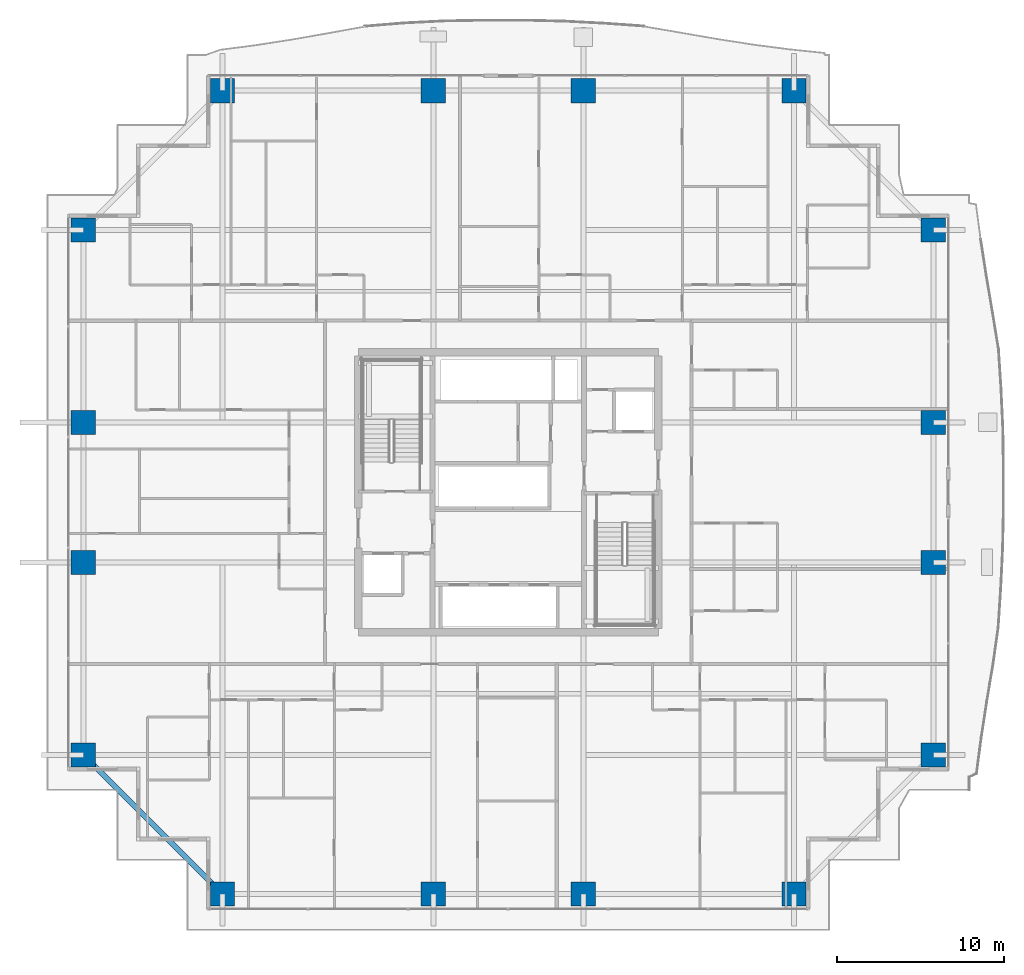
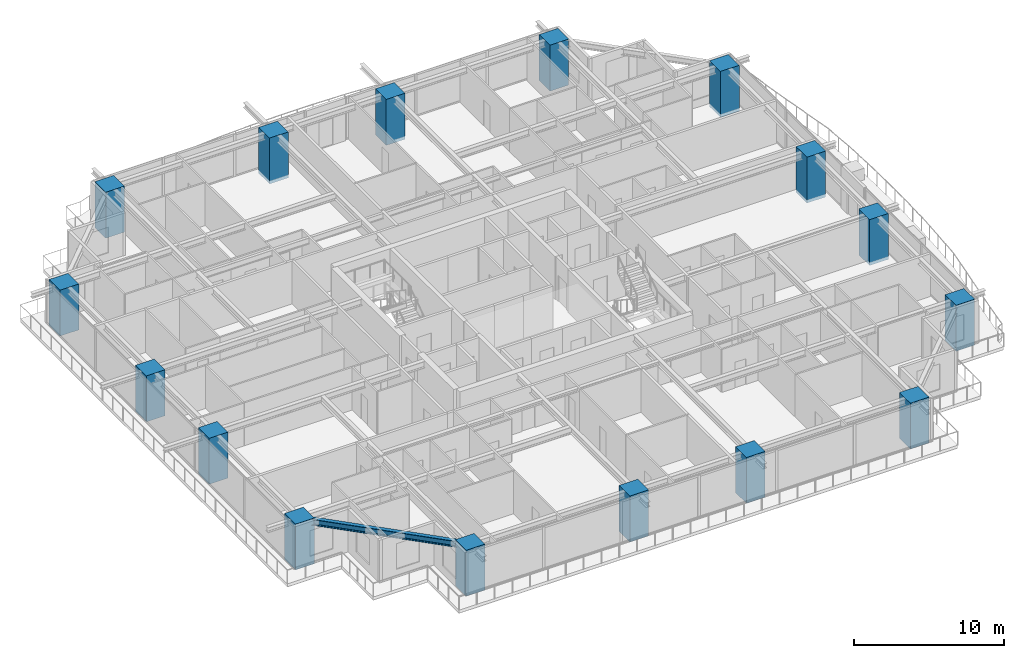
# One storey, part 1 of 38: 16 columns, 1 beam.
"""IFC4 building model written with IfcOpenShell, lengths in metres."""

from ifc_helpers import new_model, si_unit, direction, frame, origin, origin_2d, place, context, subcontext, project, spatial, rectangle, i_section, extrude, source, transform, mapped, material, material_profile, profile_set, type_object, element, save


model = new_model("IFC4")

# Units and contexts
model_context = context("Model", 3, precision=1e-05, world=origin(), true_north=direction((0.0, 1.0)))
body_context = subcontext(model_context, "Body", "Model", "MODEL_VIEW")
ifc_project = project(units=[si_unit("LENGTHUNIT", "METRE"), si_unit("AREAUNIT", "SQUARE_METRE"), si_unit("VOLUMEUNIT", "CUBIC_METRE"), si_unit("PLANEANGLEUNIT", "RADIAN"), si_unit("MASSUNIT", "GRAM", prefix="KILO")], contexts=[model_context])

# Site, building, storey
site_placement = place(None, origin())
site = spatial("IfcSite", under=ifc_project, at=site_placement, CompositionType="ELEMENT")
building_placement = place(site_placement, origin())
building = spatial("IfcBuilding", under=site, at=building_placement, Name="Serunith Strait Residences", CompositionType="ELEMENT")
storey_placement = place(building_placement, frame((0.0, 0.0, 82.949951171875)))
storey = spatial("IfcBuildingStorey", under=building, at=storey_placement, Name="L20", CompositionType="ELEMENT", Elevation=82.949951171875)

# Columns
ifc_material_1 = material(Name="Concrete C90/105", Category="concrete")
ifc_material_profile_1 = material_profile(ifc_material_1, rectangle(XDim=1.449951171875, YDim=1.449951171875, at=origin_2d()), Name="RC 1450x1450")
ifc_profile_set_1 = profile_set([ifc_material_profile_1], Name="Concrete C90/105")
column_type = type_object("IfcColumnType", Name="COL-RC-1450", PredefinedType="COLUMN", material=ifc_profile_set_1)
shared_shape_1 = source(origin(), body_context, "Body", "SweptSolid", [
    extrude(rectangle(XDim=1.449951171875, YDim=1.449951171875, at=origin_2d()), origin(), (0.0, 0.0, 1.0), 3.75),
])
for number, where, z_axis, x_axis, name in (
    (1, (15.25, 1.10009765625, -0.260009765625), (0.0, 0.0, 1.0), (1.0, 0.0, 0.0), "L20 Tower Mega-Column TC-S1"),
    (2, (27.89990234375, 1.10009765625, -0.260009765625), (0.0, 0.0, 1.0), (1.0, 0.0, 0.0), "L20 Tower Mega-Column TC-S2"),
    (3, (36.89990234375, 1.10009765625, -0.260009765625), (0.0, 0.0, 1.0), (1.0, 0.0, 0.0), "L20 Tower Mega-Column TC-S3"),
    (4, (49.550048828125, 1.10009765625, -0.260009765625), (0.0, 0.0, 1.0), (1.0, 0.0, 0.0), "L20 Tower Mega-Column TC-S4"),
    (5, (15.25, 49.300048828125, -0.260009765625), (0.0, 0.0, 1.0), (1.0, 0.0, 0.0), "L20 Tower Mega-Column TC-N1"),
    (6, (27.89990234375, 49.300048828125, -0.260009765625), (0.0, 0.0, 1.0), (1.0, 0.0, 0.0), "L20 Tower Mega-Column TC-N2"),
    (7, (36.89990234375, 49.300048828125, -0.260009765625), (0.0, 0.0, 1.0), (1.0, 0.0, 0.0), "L20 Tower Mega-Column TC-N3"),
    (8, (49.550048828125, 49.300048828125, -0.260009765625), (0.0, 0.0, 1.0), (1.0, 0.0, 0.0), "L20 Tower Mega-Column TC-N4"),
    (9, (57.89990234375, 9.449951171875, -0.260009765625), (0.0, 0.0, 1.0), (1.0, 0.0, 0.0), "L20 Tower Mega-Column TC-E1"),
    (10, (57.89990234375, 21.0, -0.260009765625), (0.0, 0.0, 1.0), (1.0, 0.0, 0.0), "L20 Tower Mega-Column TC-E2"),
    (11, (57.89990234375, 29.39990234375, -0.260009765625), (0.0, 0.0, 1.0), (1.0, 0.0, 0.0), "L20 Tower Mega-Column TC-E3"),
    (12, (57.89990234375, 40.949951171875, -0.260009765625), (0.0, 0.0, 1.0), (1.0, 0.0, 0.0), "L20 Tower Mega-Column TC-E4"),
    (13, (6.89990234375, 9.449951171875, -0.260009765625), (0.0, 0.0, 1.0), (1.0, 0.0, 0.0), "L20 Tower Mega-Column TC-W1"),
    (14, (6.89990234375, 21.0, -0.260009765625), (0.0, 0.0, 1.0), (1.0, 0.0, 0.0), "L20 Tower Mega-Column TC-W2"),
    (15, (6.89990234375, 29.39990234375, -0.260009765625), (0.0, 0.0, 1.0), (1.0, 0.0, 0.0), "L20 Tower Mega-Column TC-W3"),
    (16, (6.89990234375, 40.949951171875, -0.260009765625), (0.0, 0.0, 1.0), (1.0, 0.0, 0.0), "L20 Tower Mega-Column TC-W4"),
):
    element("IfcColumn", number, at=place(storey_placement, frame(where, z_axis=z_axis, x_axis=x_axis)), inside=storey, type_object=column_type, Name=name, PredefinedType="COLUMN", context=body_context, shape_type="MappedRepresentation", body=[
        mapped(shared_shape_1, transform((0.0, 0.0, 0.0), scale=1.0)),
    ])

# Beam
ifc_material_2 = material(Name="Steel S355J2", Category="steel")
ifc_material_profile_2 = material_profile(ifc_material_2, i_section(OverallWidth=0.300048828125, OverallDepth=0.5, WebThickness=0.014404296875, FlangeThickness=0.028076171875, FilletRadius=0.027099609375, at=origin_2d()), Name="HEB 500")
ifc_profile_set_2 = profile_set([ifc_material_profile_2], Name="Steel S355J2")
beam_type = type_object("IfcBeamType", Name="BM-HEB500", PredefinedType="BEAM", material=ifc_profile_set_2)
shared_shape_2 = source(origin(), body_context, "Body", "SweptSolid", [
    extrude(i_section(OverallWidth=0.300048828125, OverallDepth=0.5, WebThickness=0.014404296875, FlangeThickness=0.028076171875, FilletRadius=0.027099609375, at=origin_2d()), origin(), (0.0, 0.0, 1.0), 11.80859375),
])
beam_placement = place(storey_placement, frame((6.89990234375, 9.449951171875, 3.20703125), z_axis=(0.707117118476, -0.707096443746, 0.0), x_axis=(0.707096443746, 0.707117118476, 0.0)))
element("IfcBeam", 17, at=beam_placement, inside=storey, type_object=beam_type, Name="L20 Perimeter Ring Beam 16", PredefinedType="BEAM", context=body_context, shape_type="MappedRepresentation", body=[
    mapped(shared_shape_2, transform((0.0, 0.0, 0.0), scale=1.0)),
])

save(model, "model.ifc")
